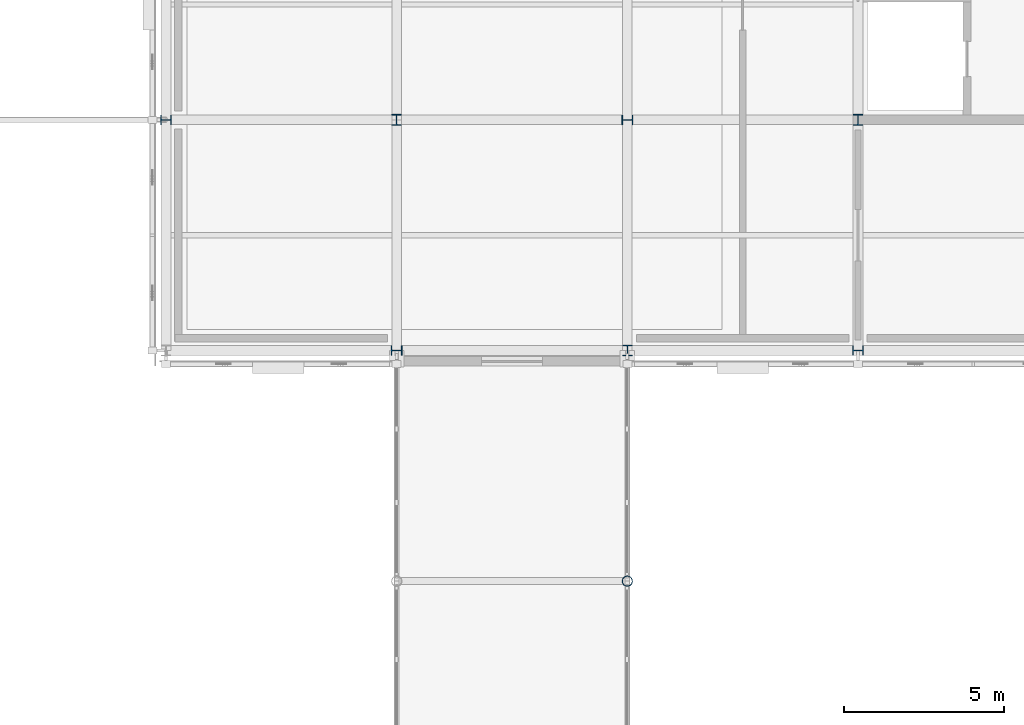
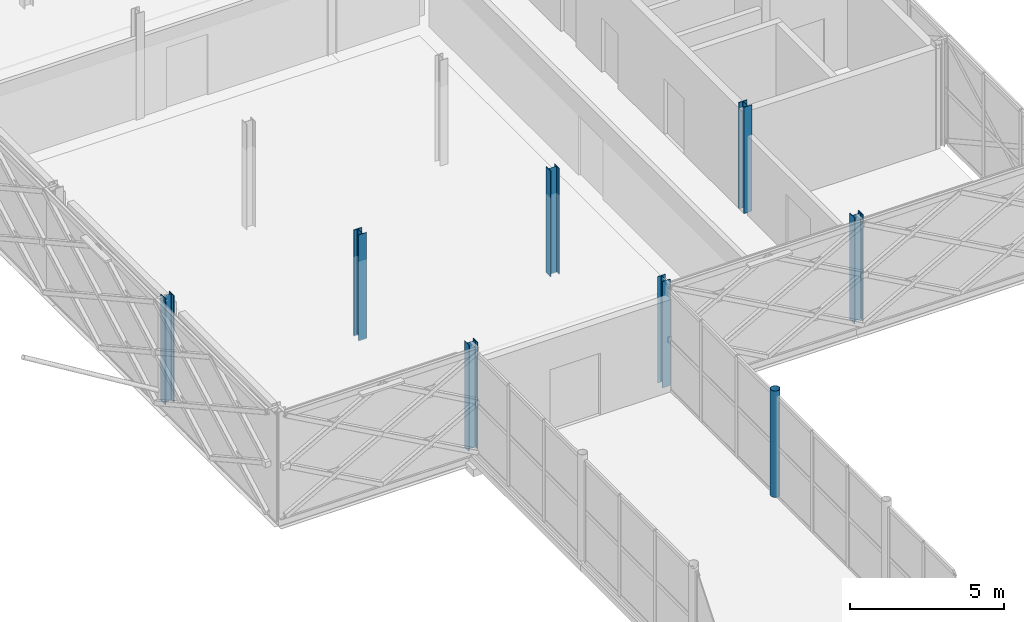
# One storey, part 4 of 146: 8 columns.
"""IFC4 building model written with IfcOpenShell, lengths in metres."""

from ifc_helpers import new_model, si_unit, direction, frame, origin, origin_2d, place, context, subcontext, project, spatial, hollow_circle, i_section, extrude, material, material_profile, profile_set, type_object, element, save


model = new_model("IFC4")

# Units and contexts
model_context = context("Model", 3, precision=1e-05, world=origin(), true_north=direction((0.0, 1.0)))
body_context = subcontext(model_context, "Body", "Model", "MODEL_VIEW")
ifc_project = project(units=[si_unit("LENGTHUNIT", "METRE"), si_unit("AREAUNIT", "SQUARE_METRE"), si_unit("VOLUMEUNIT", "CUBIC_METRE"), si_unit("PLANEANGLEUNIT", "RADIAN"), si_unit("MASSUNIT", "GRAM", prefix="KILO")], contexts=[model_context])

# Site, building, storey
site_placement = place(None, origin())
site = spatial("IfcSite", under=ifc_project, at=site_placement, CompositionType="ELEMENT")
building_placement = place(site_placement, origin())
building = spatial("IfcBuilding", under=site, at=building_placement, Name="Zlatovets Crest Museum", CompositionType="ELEMENT")
storey_placement = place(building_placement, frame((0.0, 0.0, 4.5)))
storey = spatial("IfcBuildingStorey", under=building, at=storey_placement, Name="L01", CompositionType="ELEMENT", Elevation=4.5)

# Columns
ifc_material = material(Name="Structural steel S355J2", Category="steel")
ifc_material_profile_1 = material_profile(ifc_material, hollow_circle(Radius=0.161865234375, WallThickness=0.012451171875, at=origin_2d()), Name="CHS 323.9x12.5")
ifc_profile_set_1 = profile_set([ifc_material_profile_1], Name="Structural steel S355J2")
column_type_1 = type_object("IfcColumnType", Name="Col_C-13", PredefinedType="COLUMN", material=ifc_profile_set_1)
column_placement = place(storey_placement, frame((21.60009765625, 43.199951171875, 0.0), z_axis=(0.0, 0.0, 1.0), x_axis=(1.0, 0.0, 0.0)))
element("IfcColumn", 1, at=column_placement, inside=storey, type_object=column_type_1, Name="West Hillside Glazed Link Bridge Portal Column", PredefinedType="COLUMN", context=body_context, shape_type="SweptSolid", body=[
    extrude(hollow_circle(Radius=0.161865234375, WallThickness=0.012451171875, at=origin_2d()), origin(), (0.0, 0.0, 1.0), 4.199951171875),
])
ifc_material_profile_2 = material_profile(ifc_material, i_section(OverallWidth=0.300048828125, OverallDepth=0.340087890625, WebThickness=0.011962890625, FlangeThickness=0.021484375, FilletRadius=0.027099609375, at=origin_2d()), Name="HEB 340")
ifc_profile_set_2 = profile_set([ifc_material_profile_2], Name="Structural steel S355J2")
column_type_2 = type_object("IfcColumnType", Name="Col_C-15", PredefinedType="COLUMN", material=ifc_profile_set_2)
for number, where, z_axis, x_axis, name in (
    (2, (7.199951171875, 57.60009765625, 0.0), (0.0, 0.0, 1.0), (0.0, 1.0, 0.0), "V4 L01 Column (7.2, 57.6)"),
    (3, (14.39990234375, 50.39990234375, 0.0), (0.0, 0.0, 1.0), (0.0, 1.0, 0.0), "V4 L01 Column (14.4, 50.4)"),
    (4, (14.39990234375, 57.60009765625, 0.0), (0.0, 0.0, 1.0), (1.0, 0.0, 0.0), "V4 L01 Column (14.4, 57.6)"),
    (5, (21.60009765625, 50.39990234375, 0.0), (0.0, 0.0, 1.0), (1.0, 0.0, 0.0), "V4 L01 Column (21.6, 50.4)"),
    (6, (21.60009765625, 57.60009765625, 0.0), (0.0, 0.0, 1.0), (0.0, 1.0, 0.0), "V4 L01 Column (21.6, 57.6)"),
    (7, (28.800048828125, 50.39990234375, 0.0), (0.0, 0.0, 1.0), (0.0, 1.0, 0.0), "V4 L01 Column (28.8, 50.4)"),
    (8, (28.800048828125, 57.60009765625, 0.0), (0.0, 0.0, 1.0), (1.0, 0.0, 0.0), "V4 L01 Column (28.8, 57.6)"),
):
    element("IfcColumn", number, at=place(storey_placement, frame(where, z_axis=z_axis, x_axis=x_axis)), inside=storey, type_object=column_type_2, Name=name, PredefinedType="COLUMN", context=body_context, shape_type="SweptSolid", body=[
        extrude(i_section(OverallWidth=0.300048828125, OverallDepth=0.340087890625, WebThickness=0.011962890625, FlangeThickness=0.021484375, FilletRadius=0.027099609375, at=origin_2d()), origin(), (0.0, 0.0, 1.0), 4.199951171875),
    ])

save(model, "model.ifc")
